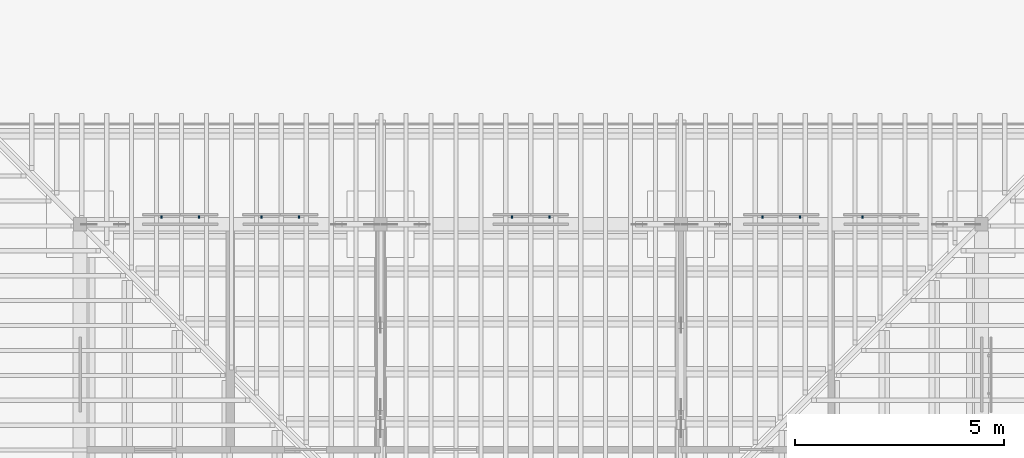
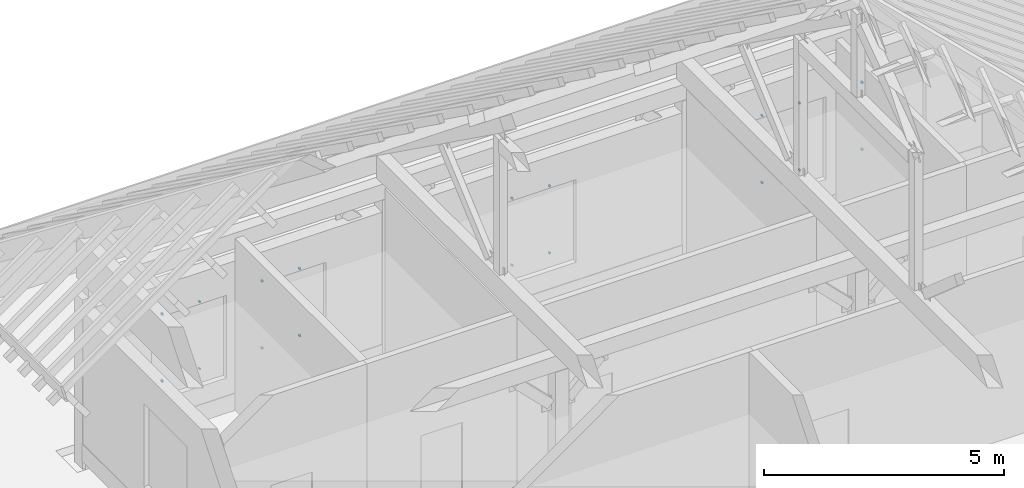
# One storey, part 55 of 84: 18 discrete accessories.
"""IFC4 building model written with IfcOpenShell, lengths in metres."""

from ifc_helpers import new_model, si_unit, direction, frame, origin, origin_2d, place, context, subcontext, project, spatial, rectangle, extrude, material, type_object, element, save


model = new_model("IFC4")

# Units and contexts
model_context = context("Model", 3, precision=1e-05, world=origin(), true_north=direction((0.0, 1.0)))
body_context = subcontext(model_context, "Body", "Model", "MODEL_VIEW")
ifc_project = project(units=[si_unit("LENGTHUNIT", "METRE"), si_unit("AREAUNIT", "SQUARE_METRE"), si_unit("VOLUMEUNIT", "CUBIC_METRE"), si_unit("PLANEANGLEUNIT", "RADIAN"), si_unit("MASSUNIT", "GRAM", prefix="KILO")], contexts=[model_context])

# Site, building, storey
site_placement = place(None, origin())
site = spatial("IfcSite", under=ifc_project, at=site_placement, CompositionType="ELEMENT")
building_placement = place(site_placement, origin())
building = spatial("IfcBuilding", under=site, at=building_placement, Name="Mazhai Court Health Centre", CompositionType="ELEMENT")
storey_placement = place(building_placement, origin())
storey = spatial("IfcBuildingStorey", under=building, at=storey_placement, Name="L00", CompositionType="ELEMENT", Elevation=0.0)

# Discrete accessories
ifc_material = material(Name="Steel IS 2062 E250", Category="steel")
discrete_accessory_type = type_object("IfcDiscreteAccessoryType", Name="BRACKET 40", PredefinedType="BRACKET", material=ifc_material)
for number, where, z_axis, x_axis, name in (
    (1, (94.550048828125, 63.97998046875, 1.080078125), (0.0, 0.0, 1.0), (1.0, 0.0, 0.0), "BR-V3-N0aa0"),
    (2, (94.550048828125, 63.97998046875, 2.780029296875), (0.0, 0.0, 1.0), (1.0, 0.0, 0.0), "BR-V3-N0aa1"),
    (3, (95.449951171875, 63.97998046875, 1.080078125), (0.0, 0.0, 1.0), (1.0, 0.0, 0.0), "BR-V3-N0ab0"),
    (4, (95.449951171875, 63.97998046875, 2.780029296875), (0.0, 0.0, 1.0), (1.0, 0.0, 0.0), "BR-V3-N0ab1"),
    (5, (96.949951171875, 63.97998046875, 1.080078125), (0.0, 0.0, 1.0), (1.0, 0.0, 0.0), "BR-V3-N0ba0"),
    (6, (96.949951171875, 63.97998046875, 2.780029296875), (0.0, 0.0, 1.0), (1.0, 0.0, 0.0), "BR-V3-N0ba1"),
    (7, (97.85009765625, 63.97998046875, 1.080078125), (0.0, 0.0, 1.0), (1.0, 0.0, 0.0), "BR-V3-N0bb0"),
    (8, (97.85009765625, 63.97998046875, 2.780029296875), (0.0, 0.0, 1.0), (1.0, 0.0, 0.0), "BR-V3-N0bb1"),
    (9, (102.949951171875, 63.97998046875, 1.080078125), (0.0, 0.0, 1.0), (1.0, 0.0, 0.0), "BR-V3-N1a0"),
    (10, (102.949951171875, 63.97998046875, 2.780029296875), (0.0, 0.0, 1.0), (1.0, 0.0, 0.0), "BR-V3-N1a1"),
    (11, (103.85009765625, 63.97998046875, 1.080078125), (0.0, 0.0, 1.0), (1.0, 0.0, 0.0), "BR-V3-N1b0"),
    (12, (103.85009765625, 63.97998046875, 2.780029296875), (0.0, 0.0, 1.0), (1.0, 0.0, 0.0), "BR-V3-N1b1"),
    (13, (108.949951171875, 63.97998046875, 1.080078125), (0.0, 0.0, 1.0), (1.0, 0.0, 0.0), "BR-V3-N2aa0"),
    (14, (108.949951171875, 63.97998046875, 2.780029296875), (0.0, 0.0, 1.0), (1.0, 0.0, 0.0), "BR-V3-N2aa1"),
    (15, (109.85009765625, 63.97998046875, 1.080078125), (0.0, 0.0, 1.0), (1.0, 0.0, 0.0), "BR-V3-N2ab0"),
    (16, (109.85009765625, 63.97998046875, 2.780029296875), (0.0, 0.0, 1.0), (1.0, 0.0, 0.0), "BR-V3-N2ab1"),
    (17, (111.35009765625, 63.97998046875, 1.080078125), (0.0, 0.0, 1.0), (1.0, 0.0, 0.0), "BR-V3-N2ba0"),
    (18, (111.35009765625, 63.97998046875, 2.780029296875), (0.0, 0.0, 1.0), (1.0, 0.0, 0.0), "BR-V3-N2ba1"),
):
    element("IfcDiscreteAccessory", number, at=place(storey_placement, frame(where, z_axis=z_axis, x_axis=x_axis)), inside=storey, type_object=discrete_accessory_type, Name=name, PredefinedType="BRACKET", context=body_context, shape_type="SweptSolid", body=[
        extrude(rectangle(XDim=0.0400390625, YDim=0.06005859375, at=origin_2d()), origin(), (0.0, 0.0, 1.0), 0.0400390625),
    ])

save(model, "model.ifc")
